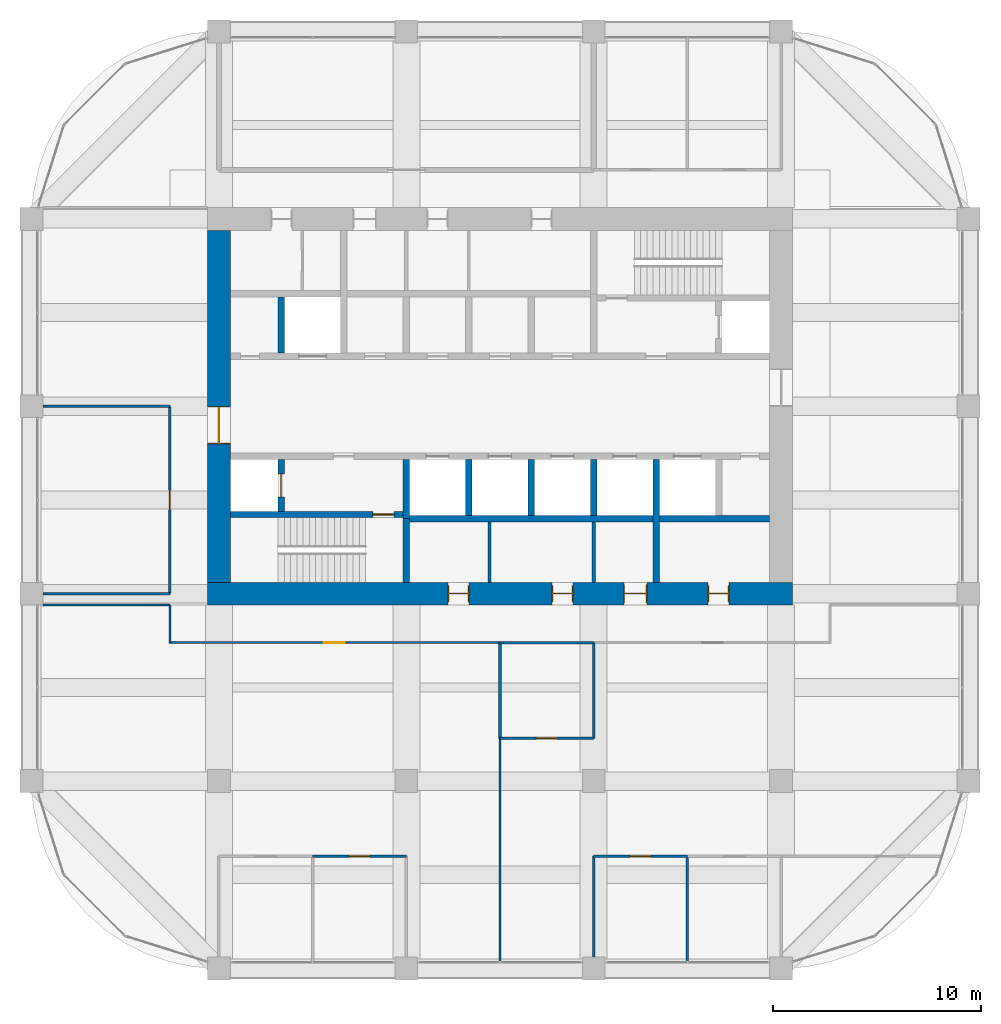
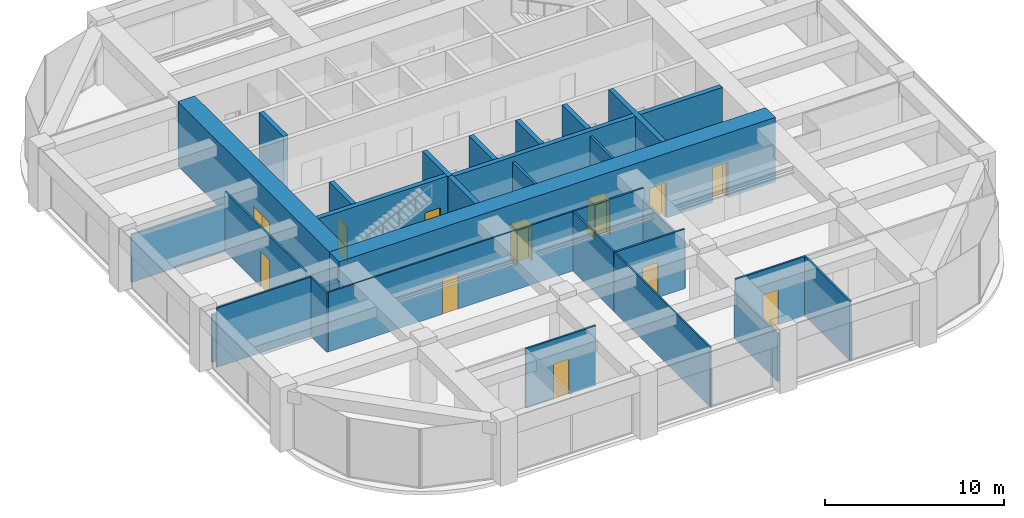
# One storey, part 41 of 44: 29 walls, 12 doors, 12 openings.
"""IFC4 building model written with IfcOpenShell, lengths in metres."""

import ifcopenshell
import ifcopenshell.guid

model = None  # the IFC model being written
_history = None  # IfcOwnerHistory: only IFC2X3 demands one
_inside = {}  # id of a spatial element -> (the spatial element, [elements in it])
_under = {}  # id of a project, library or spatial element -> (it, [spatial elements below it])
_declared = {}  # id of a project -> (the project, [libraries it declares])
_typed = {}  # id of a type object -> (the type object, [elements of that type])
_made_of = {}  # id of a material, layer set ... -> (it, [elements and type objects made of it])


def new_model(schema):
    """Start an empty IFC model of exactly this schema.

    Asked for "IFC4X3", IfcOpenShell would pick the latest addendum, in which some entities
    have other attributes; the version numbers below select the first issue.
    IFC2X3 requires an IfcOwnerHistory on every rooted entity: one is made here for all.
    """
    global model, _history
    if schema == "IFC4X3":
        model = ifcopenshell.file(schema_version=(4, 3, 0, 0))
    else:
        model = ifcopenshell.file(schema=schema)
    _inside.clear()
    _under.clear()
    _declared.clear()
    _typed.clear()
    _made_of.clear()
    _history = None
    if model.schema == "IFC2X3":
        org = make("IfcOrganization", Name="unknown")
        user = make(
            "IfcPersonAndOrganization",
            ThePerson=make("IfcPerson", FamilyName="unknown"),
            TheOrganization=org,
        )
        app = make(
            "IfcApplication",
            ApplicationDeveloper=org,
            Version="unknown",
            ApplicationFullName="unknown",
            ApplicationIdentifier="unknown",
        )
        _history = make(
            "IfcOwnerHistory",
            OwningUser=user,
            OwningApplication=app,
            ChangeAction="ADDED",
            CreationDate=0,
        )
    return model


def make(cls, **values):
    """One entity of the class cls with the attributes given. An attribute that is None is left unset."""
    return model.create_entity(
        cls, **{name: value for name, value in values.items() if value is not None}
    )


def rooted(cls, **values):
    """An entity with a GlobalId (a new one), such as an element, a storey or a relation."""
    return make(cls, GlobalId=ifcopenshell.guid.new(), OwnerHistory=_history, **values)


def si_unit(unit_type, name, prefix=None):
    """IfcSIUnit, for example si_unit("LENGTHUNIT", "METRE", prefix="MILLI")."""
    return make("IfcSIUnit", UnitType=unit_type, Prefix=prefix, Name=name)


def assignment(units):
    """IfcUnitAssignment: the units of a project."""
    return None if units is None else make("IfcUnitAssignment", Units=units)


def point(xyz):
    """IfcCartesianPoint."""
    return None if xyz is None else make("IfcCartesianPoint", Coordinates=xyz)


def direction(xyz):
    """IfcDirection."""
    return None if xyz is None else make("IfcDirection", DirectionRatios=xyz)


def frame(location, z_axis=None, x_axis=None):
    """IfcAxis2Placement3D, a coordinate frame: its origin and axes. An axis left out is left unset."""
    return make(
        "IfcAxis2Placement3D",
        Location=point(location),
        Axis=direction(z_axis),
        RefDirection=direction(x_axis),
    )


def frame_2d(location, x_axis=None):
    """IfcAxis2Placement2D, a coordinate frame in the plane: its origin and x axis."""
    return make(
        "IfcAxis2Placement2D", Location=point(location), RefDirection=direction(x_axis)
    )


def origin():
    """The frame at (0, 0, 0) with its axes left unset."""
    return frame((0.0, 0.0, 0.0))


def place(relative_to, where):
    """IfcLocalPlacement: puts the frame where relative to a parent placement (None: the world)."""
    return make(
        "IfcLocalPlacement", PlacementRelTo=relative_to, RelativePlacement=where
    )


def context(
    kind, dimensions, precision=None, world=None, true_north=None, identifier=None
):
    """IfcGeometricRepresentationContext, for example the 3D "Model" context."""
    return make(
        "IfcGeometricRepresentationContext",
        ContextIdentifier=identifier,
        ContextType=kind,
        CoordinateSpaceDimension=dimensions,
        Precision=precision,
        WorldCoordinateSystem=world,
        TrueNorth=true_north,
    )


def subcontext(parent, identifier, kind, view, scale=None):
    """IfcGeometricRepresentationSubContext, for example "Body" below "Model"."""
    return make(
        "IfcGeometricRepresentationSubContext",
        ContextIdentifier=identifier,
        ContextType=kind,
        ParentContext=parent,
        TargetScale=scale,
        TargetView=view,
    )


def project(units=None, contexts=None):
    """IfcProject with its units and contexts."""
    return rooted(
        "IfcProject",
        Name="project",
        RepresentationContexts=contexts,
        UnitsInContext=assignment(units),
    )


def spatial(cls, under=None, at=None, **own):
    """A site, building, storey or space (cls), placed at a placement, below another one or the project."""
    s = rooted(cls, ObjectPlacement=at, **own)
    if under is not None:
        _under.setdefault(under.id(), (under, []))[1].append(s)
    return s


def profile(cls, at=None, kind="AREA", **sizes):
    """A parametric profile (cls). Its sizes go by their IFC names, for example OverallWidth=200.0."""
    return make(cls, ProfileType=kind, Position=at, **sizes)


def rectangle(**sizes):
    """IfcRectangleProfileDef."""
    return profile("IfcRectangleProfileDef", **sizes)


def extrude(swept, where, along, depth):
    """IfcExtrudedAreaSolid: the profile swept, set in the frame where, extruded along a direction by depth."""
    return make(
        "IfcExtrudedAreaSolid",
        SweptArea=swept,
        Position=where,
        ExtrudedDirection=direction(along),
        Depth=depth,
    )


def shape(context_of_items, identifier, shape_type, items):
    """IfcShapeRepresentation: the items that make up one representation, for example the "Body"."""
    return make(
        "IfcShapeRepresentation",
        ContextOfItems=context_of_items,
        RepresentationIdentifier=identifier,
        RepresentationType=shape_type,
        Items=items,
    )


def material(Name=None, Category=None):
    """IfcMaterial."""
    return make("IfcMaterial", Name=Name, Category=Category)


def layer(
    of_material, thickness, ventilated=None, Name=None, Category=None, Priority=None
):
    """IfcMaterialLayer: one layer of a wall or slab, of a material (None: an air gap)."""
    return make(
        "IfcMaterialLayer",
        Material=of_material,
        LayerThickness=thickness,
        IsVentilated=ventilated,
        Name=Name,
        Category=Category,
        Priority=Priority,
    )


def layer_set(layers, Name=None):
    """IfcMaterialLayerSet."""
    return make("IfcMaterialLayerSet", MaterialLayers=layers, LayerSetName=Name)


def made_of(thing, what):
    """Note that an element or type object is made of a material, layer set ...; save() writes the relation."""
    if what is not None:
        _made_of.setdefault(what.id(), (what, []))[1].append(thing)
    return thing


def type_object(cls, material=None, **own):
    """A type object (cls), such as IfcWallType, which elements share."""
    return made_of(rooted(cls, **own), material)


def element(
    cls,
    number,
    at=None,
    inside=None,
    cuts=None,
    type_object=None,
    material=None,
    context=None,
    identifier="Body",
    shape_type=None,
    held_by="IfcProductDefinitionShape",
    body=None,
    shapes=None,
    **own,
):
    """One element of the class cls, such as IfcWall. Its Tag is "e" and its number.

    at: its placement. inside: the storey or other place that contains it. cuts: it is an
    opening in that element (IfcRelVoidsElement). A single representation is given by context,
    identifier, shape_type and body (its items); several are given by shapes. held_by: the class
    of the entity that holds the representations. save() writes the other relations.
    """
    e = rooted(cls, Tag="e%d" % number, ObjectPlacement=at, **own)
    if body is not None:
        shapes = [shape(context, identifier, shape_type, body)]
    if shapes is not None:
        e.Representation = make(held_by, Representations=shapes)
    if inside is not None:
        _inside.setdefault(inside.id(), (inside, []))[1].append(e)
    if cuts is not None:
        rooted(
            "IfcRelVoidsElement", RelatingBuildingElement=cuts, RelatedOpeningElement=e
        )
    if type_object is not None:
        _typed.setdefault(type_object.id(), (type_object, []))[1].append(e)
    return made_of(e, material)


def fill(opening, filler):
    """IfcRelFillsElement: the door or window that sits in an opening."""
    return rooted(
        "IfcRelFillsElement",
        RelatingOpeningElement=opening,
        RelatedBuildingElement=filler,
    )


def aggregate(whole, parts):
    """IfcRelAggregates: a whole, such as a stair, and the parts it consists of."""
    return rooted("IfcRelAggregates", RelatingObject=whole, RelatedObjects=parts)


def save(model, path):
    """Write the relations noted so far, then the file.

    IfcRelAggregates (storeys below a building ...), IfcRelContainedInSpatialStructure (elements
    in a storey), IfcRelDefinesByType, IfcRelAssociatesMaterial and IfcRelDeclares: one each for
    every whole, place, type object, material and project.
    """
    for whole, parts in _under.values():
        aggregate(whole, parts)
    for where, things in _inside.values():
        rooted(
            "IfcRelContainedInSpatialStructure",
            RelatedElements=things,
            RelatingStructure=where,
        )
    for kind, things in _typed.values():
        rooted("IfcRelDefinesByType", RelatedObjects=things, RelatingType=kind)
    for what, things in _made_of.values():
        rooted("IfcRelAssociatesMaterial", RelatedObjects=things, RelatingMaterial=what)
    for by, libraries in _declared.values():
        rooted("IfcRelDeclares", RelatingContext=by, RelatedDefinitions=libraries)
    model.write(path)


model = new_model("IFC4")

# Units and contexts
model_context = context("Model", 3, precision=1e-05, world=origin(), true_north=direction((0.0, 1.0)))
body_context = subcontext(model_context, "Body", "Model", "MODEL_VIEW")
ifc_project = project(units=[si_unit("LENGTHUNIT", "METRE"), si_unit("AREAUNIT", "SQUARE_METRE"), si_unit("VOLUMEUNIT", "CUBIC_METRE"), si_unit("PLANEANGLEUNIT", "RADIAN"), si_unit("MASSUNIT", "GRAM", prefix="KILO")], contexts=[model_context])

# Site, building, storey
site_placement = place(None, origin())
site = spatial("IfcSite", under=ifc_project, at=site_placement, CompositionType="ELEMENT")
building_placement = place(site_placement, origin())
building = spatial("IfcBuilding", under=site, at=building_placement, Name="Zorevar Civic Tower", CompositionType="ELEMENT")
storey_placement = place(building_placement, frame((0.0, 0.0, 307.39990234375)))
storey = spatial("IfcBuildingStorey", under=building, at=storey_placement, Name="L75", CompositionType="ELEMENT", Elevation=307.39990234375)

# Wall, openings, doors
ifc_material_1 = material(Name="Concrete C50/60", Category="concrete")
ifc_layer_1 = layer(ifc_material_1, 1.10009765625)
ifc_layer_set_1 = layer_set([ifc_layer_1], Name="Core wall 1100")
wall_type_1 = type_object("IfcWallType", Name="Core wall 1100", PredefinedType="SHEAR", material=ifc_layer_set_1)
wall_1_placement = place(storey_placement, frame((17.449951171875, 18.0, 0.0), z_axis=(0.0, 0.0, 1.0), x_axis=(1.0, 0.0, 0.0)))
wall_1 = element("IfcWall", 1, at=wall_1_placement, inside=storey, type_object=wall_type_1, Name="Core wall S L75", PredefinedType="SHEAR", context=body_context, shape_type="SweptSolid", body=[
    extrude(rectangle(XDim=28.10009765625, YDim=1.10009765625, at=frame_2d((14.050048828125, 0.0))), origin(), (0.0, 0.0, 1.0), 4.400146484375),
])
opening_1_placement = place(wall_1_placement, frame((11.550048828125, 0.0, 0.0)))
opening_1 = element("IfcOpeningElement", 2, at=opening_1_placement, cuts=wall_1, Name="Opening L75.03", PredefinedType="OPENING", context=body_context, shape_type="SweptSolid", body=[
    extrude(rectangle(XDim=1.0, YDim=2.39990234375, at=frame_2d((0.5, 1.199951171875))), frame((0.0, 0.56005859375, 0.0), z_axis=(0.0, -1.0, 0.0), x_axis=(1.0, 0.0, 0.0)), (0.0, 0.0, 1.0), 1.1201171875),
])
opening_2_placement = place(wall_1_placement, frame((16.550048828125, 0.0, 0.0)))
opening_2 = element("IfcOpeningElement", 3, at=opening_2_placement, cuts=wall_1, Name="Opening L75.04", PredefinedType="OPENING", context=body_context, shape_type="SweptSolid", body=[
    extrude(rectangle(XDim=1.0, YDim=2.39990234375, at=frame_2d((0.5, 1.199951171875))), frame((0.0, 0.56005859375, 0.0), z_axis=(0.0, -1.0, 0.0), x_axis=(1.0, 0.0, 0.0)), (0.0, 0.0, 1.0), 1.1201171875),
])
opening_3_placement = place(wall_1_placement, frame((20.0, 0.0, 0.0)))
opening_3 = element("IfcOpeningElement", 4, at=opening_3_placement, cuts=wall_1, Name="Opening L75.05", PredefinedType="OPENING", context=body_context, shape_type="SweptSolid", body=[
    extrude(rectangle(XDim=1.10009765625, YDim=2.39990234375, at=frame_2d((0.550048828125, 1.199951171875))), frame((0.0, 0.56005859375, 0.0), z_axis=(0.0, -1.0, 0.0), x_axis=(1.0, 0.0, 0.0)), (0.0, 0.0, 1.0), 1.1201171875),
])
opening_4_placement = place(wall_1_placement, frame((24.050048828125, 0.0, 0.0)))
opening_4 = element("IfcOpeningElement", 5, at=opening_4_placement, cuts=wall_1, Name="Opening L75.06", PredefinedType="OPENING", context=body_context, shape_type="SweptSolid", body=[
    extrude(rectangle(XDim=1.0, YDim=2.39990234375, at=frame_2d((0.5, 1.199951171875))), frame((0.0, 0.56005859375, 0.0), z_axis=(0.0, -1.0, 0.0), x_axis=(1.0, 0.0, 0.0)), (0.0, 0.0, 1.0), 1.1201171875),
])
ifc_material_2 = material(Name="Timber door set", Category="wood")
door_type_1 = type_object("IfcDoorType", Name="Door D1 1000x2400", OperationType="SINGLE_SWING_LEFT", PredefinedType="DOOR", material=ifc_material_2)
door_1_placement = place(opening_1_placement, origin())
door_1 = element("IfcDoor", 6, at=door_1_placement, inside=storey, type_object=door_type_1, Name="Door L75 02", OperationType="SINGLE_SWING_LEFT", OverallHeight=2.39990234375, OverallWidth=1.0, PredefinedType="DOOR", context=body_context, shape_type="SweptSolid", body=[
    extrude(rectangle(XDim=1.0, YDim=2.39990234375, at=frame_2d((0.5, 1.199951171875))), frame((0.0, 0.02490234375, 0.0), z_axis=(0.0, -1.0, 0.0), x_axis=(1.0, 0.0, 0.0)), (0.0, 0.0, 1.0), 0.050048828125),
    extrude(rectangle(XDim=0.04, YDim=2.39990234375, at=frame_2d((0.02001953125, 1.199951171875))), frame((0.0, 0.39990234375, 0.0), z_axis=(0.0, -1.0, 0.0), x_axis=(1.0, 0.0, 0.0)), (0.0, 0.0, 1.0), 0.800048828125),
    extrude(rectangle(XDim=0.04, YDim=2.39990234375, at=frame_2d((0.97998046875, 1.199951171875))), frame((0.0, 0.39990234375, 0.0), z_axis=(0.0, -1.0, 0.0), x_axis=(1.0, 0.0, 0.0)), (0.0, 0.0, 1.0), 0.800048828125),
    extrude(rectangle(XDim=1.0, YDim=0.04, at=frame_2d((0.5, 2.3798828125))), frame((0.0, 0.39990234375, 0.0), z_axis=(0.0, -1.0, 0.0), x_axis=(1.0, 0.0, 0.0)), (0.0, 0.0, 1.0), 0.800048828125),
])
fill(opening_1, door_1)
door_2_placement = place(opening_2_placement, origin())
door_2 = element("IfcDoor", 7, at=door_2_placement, inside=storey, type_object=door_type_1, Name="Door L75 03", OperationType="SINGLE_SWING_RIGHT", OverallHeight=2.39990234375, OverallWidth=1.0, PredefinedType="DOOR", context=body_context, shape_type="SweptSolid", body=[
    extrude(rectangle(XDim=1.0, YDim=2.39990234375, at=frame_2d((0.5, 1.199951171875))), frame((0.0, 0.02490234375, 0.0), z_axis=(0.0, -1.0, 0.0), x_axis=(1.0, 0.0, 0.0)), (0.0, 0.0, 1.0), 0.050048828125),
    extrude(rectangle(XDim=0.04, YDim=2.39990234375, at=frame_2d((0.02001953125, 1.199951171875))), frame((0.0, 0.39990234375, 0.0), z_axis=(0.0, -1.0, 0.0), x_axis=(1.0, 0.0, 0.0)), (0.0, 0.0, 1.0), 0.800048828125),
    extrude(rectangle(XDim=0.04, YDim=2.39990234375, at=frame_2d((0.97998046875, 1.199951171875))), frame((0.0, 0.39990234375, 0.0), z_axis=(0.0, -1.0, 0.0), x_axis=(1.0, 0.0, 0.0)), (0.0, 0.0, 1.0), 0.800048828125),
    extrude(rectangle(XDim=1.0, YDim=0.04, at=frame_2d((0.5, 2.3798828125))), frame((0.0, 0.39990234375, 0.0), z_axis=(0.0, -1.0, 0.0), x_axis=(1.0, 0.0, 0.0)), (0.0, 0.0, 1.0), 0.800048828125),
])
fill(opening_2, door_2)
door_3_placement = place(opening_4_placement, origin())
door_3 = element("IfcDoor", 8, at=door_3_placement, inside=storey, type_object=door_type_1, Name="Door L75 05", OperationType="SINGLE_SWING_RIGHT", OverallHeight=2.39990234375, OverallWidth=1.0, PredefinedType="DOOR", context=body_context, shape_type="SweptSolid", body=[
    extrude(rectangle(XDim=1.0, YDim=2.39990234375, at=frame_2d((0.5, 1.199951171875))), frame((0.0, 0.02490234375, 0.0), z_axis=(0.0, -1.0, 0.0), x_axis=(1.0, 0.0, 0.0)), (0.0, 0.0, 1.0), 0.050048828125),
    extrude(rectangle(XDim=0.04, YDim=2.39990234375, at=frame_2d((0.02001953125, 1.199951171875))), frame((0.0, 0.39990234375, 0.0), z_axis=(0.0, -1.0, 0.0), x_axis=(1.0, 0.0, 0.0)), (0.0, 0.0, 1.0), 0.800048828125),
    extrude(rectangle(XDim=0.04, YDim=2.39990234375, at=frame_2d((0.97998046875, 1.199951171875))), frame((0.0, 0.39990234375, 0.0), z_axis=(0.0, -1.0, 0.0), x_axis=(1.0, 0.0, 0.0)), (0.0, 0.0, 1.0), 0.800048828125),
    extrude(rectangle(XDim=1.0, YDim=0.04, at=frame_2d((0.5, 2.3798828125))), frame((0.0, 0.39990234375, 0.0), z_axis=(0.0, -1.0, 0.0), x_axis=(1.0, 0.0, 0.0)), (0.0, 0.0, 1.0), 0.800048828125),
])
fill(opening_4, door_3)
ifc_material_3 = material(Name="Timber door set", Category="wood")
door_type_2 = type_object("IfcDoorType", Name="Door D5 1100x2400", OperationType="SINGLE_SWING_LEFT", PredefinedType="DOOR", material=ifc_material_3)
door_4_placement = place(opening_3_placement, origin())
door_4 = element("IfcDoor", 9, at=door_4_placement, inside=storey, type_object=door_type_2, Name="Door L75 04", OperationType="SINGLE_SWING_RIGHT", OverallHeight=2.39990234375, OverallWidth=1.10009765625, PredefinedType="DOOR", context=body_context, shape_type="SweptSolid", body=[
    extrude(rectangle(XDim=1.10009765625, YDim=2.39990234375, at=frame_2d((0.550048828125, 1.199951171875))), frame((0.0, 0.02490234375, 0.0), z_axis=(0.0, -1.0, 0.0), x_axis=(1.0, 0.0, 0.0)), (0.0, 0.0, 1.0), 0.050048828125),
    extrude(rectangle(XDim=0.04, YDim=2.39990234375, at=frame_2d((0.02001953125, 1.199951171875))), frame((0.0, 0.43994140625, 0.0), z_axis=(0.0, -1.0, 0.0), x_axis=(1.0, 0.0, 0.0)), (0.0, 0.0, 1.0), 0.880126953125),
    extrude(rectangle(XDim=0.04, YDim=2.39990234375, at=frame_2d((1.080078125, 1.199951171875))), frame((0.0, 0.43994140625, 0.0), z_axis=(0.0, -1.0, 0.0), x_axis=(1.0, 0.0, 0.0)), (0.0, 0.0, 1.0), 0.880126953125),
    extrude(rectangle(XDim=1.10009765625, YDim=0.04, at=frame_2d((0.550048828125, 2.3798828125))), frame((0.0, 0.43994140625, 0.0), z_axis=(0.0, -1.0, 0.0), x_axis=(1.0, 0.0, 0.0)), (0.0, 0.0, 1.0), 0.880126953125),
])
fill(opening_3, door_4)

# Wall, opening, door
wall_2_placement = place(storey_placement, frame((18.0, 35.449951171875, 0.0), z_axis=(0.0, 0.0, 1.0), x_axis=(0.0, -1.0, 0.0)))
wall_2 = element("IfcWall", 10, at=wall_2_placement, inside=storey, type_object=wall_type_1, Name="Core wall W L75", PredefinedType="SHEAR", context=body_context, shape_type="SweptSolid", body=[
    extrude(rectangle(XDim=16.89990234375, YDim=1.10009765625, at=frame_2d((8.449951171875, 0.0))), origin(), (0.0, 0.0, 1.0), 4.400146484375),
])
opening_5_placement = place(wall_2_placement, frame((8.449951171875, 0.0, 0.0)))
opening_5 = element("IfcOpeningElement", 11, at=opening_5_placement, cuts=wall_2, Name="Opening L75.01", PredefinedType="OPENING", context=body_context, shape_type="SweptSolid", body=[
    extrude(rectangle(XDim=1.800048828125, YDim=2.39990234375, at=frame_2d((0.89990234375, 1.199951171875))), frame((0.0, 0.56005859375, 0.0), z_axis=(0.0, -1.0, 0.0), x_axis=(1.0, 0.0, 0.0)), (0.0, 0.0, 1.0), 1.1201171875),
])
ifc_material_4 = material(Name="Steel door set", Category="steel")
door_type_3 = type_object("IfcDoorType", Name="Fire door FD2 1800x2400", OperationType="DOUBLE_DOOR_DOUBLE_SWING", PredefinedType="DOOR", material=ifc_material_4)
door_5_placement = place(opening_5_placement, origin())
door_5 = element("IfcDoor", 12, at=door_5_placement, inside=storey, type_object=door_type_3, Name="Door L75 00", OperationType="DOUBLE_DOOR_DOUBLE_SWING", OverallHeight=2.39990234375, OverallWidth=1.800048828125, PredefinedType="DOOR", context=body_context, shape_type="SweptSolid", body=[
    extrude(rectangle(XDim=1.800048828125, YDim=2.39990234375, at=frame_2d((0.89990234375, 1.199951171875))), frame((0.0, 0.030029296875, 0.0), z_axis=(0.0, -1.0, 0.0), x_axis=(1.0, 0.0, 0.0)), (0.0, 0.0, 1.0), 0.06005859375),
    extrude(rectangle(XDim=0.04, YDim=2.39990234375, at=frame_2d((0.02001953125, 1.199951171875))), frame((0.0, 0.5498046875, 0.0), z_axis=(0.0, -1.0, 0.0), x_axis=(1.0, 0.0, 0.0)), (0.0, 0.0, 1.0), 1.099609375),
    extrude(rectangle(XDim=0.04, YDim=2.39990234375, at=frame_2d((1.780029296875, 1.199951171875))), frame((0.0, 0.5498046875, 0.0), z_axis=(0.0, -1.0, 0.0), x_axis=(1.0, 0.0, 0.0)), (0.0, 0.0, 1.0), 1.099609375),
    extrude(rectangle(XDim=1.800048828125, YDim=0.04, at=frame_2d((0.89990234375, 2.3798828125))), frame((0.0, 0.5498046875, 0.0), z_axis=(0.0, -1.0, 0.0), x_axis=(1.0, 0.0, 0.0)), (0.0, 0.0, 1.0), 1.099609375),
])
fill(opening_5, door_5)

ifc_material_5 = material(Name="Laminated glass in black aluminium frame", Category="aluminium")
ifc_layer_2 = layer(ifc_material_5, 0.10009765625)
ifc_layer_set_2 = layer_set([ifc_layer_2], Name="Glazed partition 100")
wall_type_2 = type_object("IfcWallType", Name="Glazed partition 100", PredefinedType="PARTITIONING", material=ifc_layer_set_2)
wall_3_placement = place(storey_placement, frame((15.60009765625, 15.64990234375, 0.0), z_axis=(0.0, 0.0, 1.0), x_axis=(1.0, 0.0, 0.0)))
wall_3 = element("IfcWall", 13, at=wall_3_placement, inside=storey, type_object=wall_type_2, Name="Glazed partition 100 L75", PredefinedType="PARTITIONING", context=body_context, shape_type="SweptSolid", body=[
    extrude(rectangle(XDim=15.889892578125, YDim=0.10009765625, at=frame_2d((7.94482421875, 0.0))), origin(), (0.0, 0.0, 1.0), 4.050048828125),
])
opening_6_placement = place(wall_3_placement, frame((7.445068359375, 0.0, 0.0)))
opening_6 = element("IfcOpeningElement", 14, at=opening_6_placement, cuts=wall_3, Name="Opening L75.23", PredefinedType="OPENING", context=body_context, shape_type="SweptSolid", body=[
    extrude(rectangle(XDim=1.0, YDim=2.39990234375, at=frame_2d((0.5, 1.199951171875))), frame((0.0, 0.06005859375, 0.0), z_axis=(0.0, -1.0, 0.0), x_axis=(1.0, 0.0, 0.0)), (0.0, 0.0, 1.0), 0.1201171875),
])
ifc_material_6 = material(Name="Timber door set", Category="wood")
door_type_4 = type_object("IfcDoorType", Name="Glazed door GD1 1000x2400", OperationType="SINGLE_SWING_LEFT", PredefinedType="DOOR", material=ifc_material_6)
door_6_placement = place(opening_6_placement, origin())
door_6 = element("IfcDoor", 15, at=door_6_placement, inside=storey, type_object=door_type_4, Name="Door L75 D1", OperationType="SINGLE_SWING_RIGHT", OverallHeight=2.39990234375, OverallWidth=1.0, PredefinedType="DOOR", context=body_context, shape_type="SweptSolid", body=[
    extrude(rectangle(XDim=1.0, YDim=2.39990234375, at=frame_2d((0.5, 1.199951171875))), frame((0.0, 0.02001953125, 0.0), z_axis=(0.0, -1.0, 0.0), x_axis=(1.0, 0.0, 0.0)), (0.0, 0.0, 1.0), 0.0400390625),
])
fill(opening_6, door_6)

# Walls
wall_4_placement = place(storey_placement, frame((9.550048828125, 17.449951171875, 0.0), z_axis=(0.0, 0.0, 1.0), x_axis=(1.0, 0.0, 0.0)))
element("IfcWall", 16, at=wall_4_placement, inside=storey, type_object=wall_type_2, Name="Glazed partition 100 L75", PredefinedType="PARTITIONING", context=body_context, shape_type="SweptSolid", body=[
    extrude(rectangle(XDim=6.099853515625, YDim=0.10009765625, at=frame_2d((3.0498046875, 0.0))), origin(), (0.0, 0.0, 1.0), 4.050048828125),
])
wall_5_placement = place(storey_placement, frame((15.64990234375, 15.60009765625, 0.0), z_axis=(0.0, 0.0, 1.0), x_axis=(0.0, 1.0, 0.0)))
element("IfcWall", 17, at=wall_5_placement, inside=storey, type_object=wall_type_2, Name="Glazed partition 100 L75", PredefinedType="PARTITIONING", context=body_context, shape_type="SweptSolid", body=[
    extrude(rectangle(XDim=1.849853515625, YDim=0.10009765625, at=frame_2d((0.9248046875, 0.0))), origin(), (0.0, 0.0, 1.0), 4.050048828125),
])
wall_6_placement = place(storey_placement, frame((31.5, 0.31005859375, 0.0), z_axis=(0.0, 0.0, 1.0), x_axis=(0.0, 1.0, 0.0)))
element("IfcWall", 18, at=wall_6_placement, inside=storey, type_object=wall_type_2, Name="Glazed partition 100 L75", PredefinedType="PARTITIONING", context=body_context, shape_type="SweptSolid", body=[
    extrude(rectangle(XDim=10.739990234375, YDim=0.10009765625, at=frame_2d((5.3701171875, 0.0))), origin(), (0.0, 0.0, 1.0), 4.050048828125),
])

# Wall, opening, door
ifc_material_7 = material(Name="Concrete C40/50", Category="concrete")
ifc_layer_3 = layer(ifc_material_7, 0.300048828125)
ifc_layer_set_3 = layer_set([ifc_layer_3], Name="Inner core wall 300")
wall_type_3 = type_object("IfcWallType", Name="Inner core wall 300", PredefinedType="SHEAR", material=ifc_layer_set_3)
wall_7_placement = place(storey_placement, frame((18.550048828125, 21.800048828125, 0.0), z_axis=(0.0, 0.0, 1.0), x_axis=(1.0, 0.0, 0.0)))
wall_7 = element("IfcWall", 19, at=wall_7_placement, inside=storey, type_object=wall_type_3, Name="Inner core wall S00 L75", PredefinedType="SHEAR", context=body_context, shape_type="SweptSolid", body=[
    extrude(rectangle(XDim=8.300048828125, YDim=0.300048828125, at=frame_2d((4.14990234375, 0.0))), origin(), (0.0, 0.0, 1.0), 4.400146484375),
])
opening_7_placement = place(wall_7_placement, frame((6.85009765625, 0.0, 0.0)))
opening_7 = element("IfcOpeningElement", 20, at=opening_7_placement, cuts=wall_7, Name="Opening L75.11", PredefinedType="OPENING", context=body_context, shape_type="SweptSolid", body=[
    extrude(rectangle(XDim=1.0, YDim=2.39990234375, at=frame_2d((0.5, 1.199951171875))), frame((0.0, 0.159912109375, 0.0), z_axis=(0.0, -1.0, 0.0), x_axis=(1.0, 0.0, 0.0)), (0.0, 0.0, 1.0), 0.320068359375),
])
ifc_material_8 = material(Name="Steel door set", Category="steel")
door_type_5 = type_object("IfcDoorType", Name="Fire door FD1 1000x2400", OperationType="SINGLE_SWING_LEFT", PredefinedType="DOOR", material=ifc_material_8)
door_7_placement = place(opening_7_placement, origin())
door_7 = element("IfcDoor", 21, at=door_7_placement, inside=storey, type_object=door_type_5, Name="Door L75 10", OperationType="SINGLE_SWING_RIGHT", OverallHeight=2.39990234375, OverallWidth=1.0, PredefinedType="DOOR", context=body_context, shape_type="SweptSolid", body=[
    extrude(rectangle(XDim=1.0, YDim=2.39990234375, at=frame_2d((0.5, 1.199951171875))), frame((0.0, 0.030029296875, 0.0), z_axis=(0.0, -1.0, 0.0), x_axis=(1.0, 0.0, 0.0)), (0.0, 0.0, 1.0), 0.06005859375),
])
fill(opening_7, door_7)

# Wall
wall_8_placement = place(storey_placement, frame((27.0, 18.550048828125, 0.0), z_axis=(0.0, 0.0, 1.0), x_axis=(0.0, 1.0, 0.0)))
element("IfcWall", 22, at=wall_8_placement, inside=storey, type_object=wall_type_3, Name="Inner core wall S01 L75", PredefinedType="SHEAR", context=body_context, shape_type="SweptSolid", body=[
    extrude(rectangle(XDim=3.050048828125, YDim=0.300048828125, at=frame_2d((1.52490234375, 0.0))), origin(), (0.0, 0.0, 1.0), 4.400146484375),
])

# Wall, opening, door
wall_9_placement = place(storey_placement, frame((21.0, 21.949951171875, 0.0), z_axis=(0.0, 0.0, 1.0), x_axis=(0.0, 1.0, 0.0)))
wall_9 = element("IfcWall", 23, at=wall_9_placement, inside=storey, type_object=wall_type_3, Name="Inner core wall S02 L75", PredefinedType="SHEAR", context=body_context, shape_type="SweptSolid", body=[
    extrude(rectangle(XDim=2.5, YDim=0.300048828125, at=frame_2d((1.25, 0.0))), origin(), (0.0, 0.0, 1.0), 4.400146484375),
])
opening_8_placement = place(wall_9_placement, frame((0.699951171875, 0.0, 0.0)))
opening_8 = element("IfcOpeningElement", 24, at=opening_8_placement, cuts=wall_9, Name="Opening L75.FL1", PredefinedType="OPENING", context=body_context, shape_type="SweptSolid", body=[
    extrude(rectangle(XDim=1.10009765625, YDim=2.39990234375, at=frame_2d((0.550048828125, 1.199951171875))), frame((0.0, 0.159912109375, 0.0), z_axis=(0.0, -1.0, 0.0), x_axis=(1.0, 0.0, 0.0)), (0.0, 0.0, 1.0), 0.320068359375),
])
ifc_material_9 = material(Name="Steel door set", Category="steel")
door_type_6 = type_object("IfcDoorType", Name="Firefighting lift landing door LD3 1100x2400", OperationType="DOUBLE_DOOR_SLIDING", PredefinedType="DOOR", material=ifc_material_9)
door_8_placement = place(opening_8_placement, origin())
door_8 = element("IfcDoor", 25, at=door_8_placement, inside=storey, type_object=door_type_6, Name="Landing door FL1 L75", OperationType="DOUBLE_DOOR_SLIDING", OverallHeight=2.39990234375, OverallWidth=1.10009765625, PredefinedType="DOOR", context=body_context, shape_type="SweptSolid", body=[
    extrude(rectangle(XDim=1.10009765625, YDim=2.39990234375, at=frame_2d((0.550048828125, 1.199951171875))), frame((0.0, 0.030029296875, 0.0), z_axis=(0.0, -1.0, 0.0), x_axis=(1.0, 0.0, 0.0)), (0.0, 0.0, 1.0), 0.06005859375),
])
fill(opening_8, door_8)

# Walls
wall_10_placement = place(storey_placement, frame((27.14990234375, 21.60009765625, 0.0), z_axis=(0.0, 0.0, 1.0), x_axis=(1.0, 0.0, 0.0)))
element("IfcWall", 26, at=wall_10_placement, inside=storey, type_object=wall_type_3, Name="Inner core wall S04 L75", PredefinedType="SHEAR", context=body_context, shape_type="SweptSolid", body=[
    extrude(rectangle(XDim=17.300048828125, YDim=0.300048828125, at=frame_2d((8.64990234375, 0.0))), origin(), (0.0, 0.0, 1.0), 4.400146484375),
])
for number, where, z_axis, x_axis, name in (
    (27, (30.0, 21.75, 0.0), (0.0, 0.0, 1.0), (0.0, 1.0, 0.0), "Inner core wall S05 L75"),
    (28, (33.0, 21.75, 0.0), (0.0, 0.0, 1.0), (0.0, 1.0, 0.0), "Inner core wall S06 L75"),
    (29, (36.0, 21.75, 0.0), (0.0, 0.0, 1.0), (0.0, 1.0, 0.0), "Inner core wall S07 L75"),
):
    element("IfcWall", number, at=place(storey_placement, frame(where, z_axis=z_axis, x_axis=x_axis)), inside=storey, type_object=wall_type_3, Name=name, PredefinedType="SHEAR", context=body_context, shape_type="SweptSolid", body=[
        extrude(rectangle(XDim=2.699951171875, YDim=0.300048828125, at=frame_2d((1.35009765625, 0.0))), origin(), (0.0, 0.0, 1.0), 4.400146484375),
    ])
wall_11_placement = place(storey_placement, frame((39.0, 18.550048828125, 0.0), z_axis=(0.0, 0.0, 1.0), x_axis=(0.0, 1.0, 0.0)))
element("IfcWall", 30, at=wall_11_placement, inside=storey, type_object=wall_type_3, Name="Inner core wall S08 L75", PredefinedType="SHEAR", context=body_context, shape_type="SweptSolid", body=[
    extrude(rectangle(XDim=5.89990234375, YDim=0.300048828125, at=frame_2d((2.949951171875, 0.0))), origin(), (0.0, 0.0, 1.0), 4.400146484375),
])
wall_12_placement = place(storey_placement, frame((21.0, 29.550048828125, 0.0), z_axis=(0.0, 0.0, 1.0), x_axis=(0.0, 1.0, 0.0)))
element("IfcWall", 31, at=wall_12_placement, inside=storey, type_object=wall_type_3, Name="Inner core wall N09 L75", PredefinedType="SHEAR", context=body_context, shape_type="SweptSolid", body=[
    extrude(rectangle(XDim=2.699951171875, YDim=0.300048828125, at=frame_2d((1.35009765625, 0.0))), origin(), (0.0, 0.0, 1.0), 4.400146484375),
])
wall_13_placement = place(storey_placement, frame((27.0, 21.60009765625, 0.0), z_axis=(0.0, 0.0, 1.0), x_axis=(0.0, 1.0, 0.0)))
element("IfcWall", 32, at=wall_13_placement, inside=storey, type_object=wall_type_3, Name="Inner core wall S10 L75", PredefinedType="SHEAR", context=body_context, shape_type="SweptSolid", body=[
    extrude(rectangle(XDim=2.849853515625, YDim=0.300048828125, at=frame_2d((1.4248046875, 0.0))), origin(), (0.0, 0.0, 1.0), 4.400146484375),
])

# Wall, opening, door
ifc_material_10 = material(Name="Gypsum board on steel studs", Category="steel")
ifc_layer_4 = layer(ifc_material_10, 0.1201171875)
ifc_layer_set_4 = layer_set([ifc_layer_4], Name="Partition 120")
wall_type_4 = type_object("IfcWallType", Name="Partition 120", PredefinedType="PARTITIONING", material=ifc_layer_set_4)
wall_14_placement = place(storey_placement, frame((22.5, 5.39990234375, 0.0), z_axis=(0.0, 0.0, 1.0), x_axis=(1.0, 0.0, 0.0)))
wall_14 = element("IfcWall", 33, at=wall_14_placement, inside=storey, type_object=wall_type_4, Name="Partition 120 L75", PredefinedType="PARTITIONING", context=body_context, shape_type="SweptSolid", body=[
    extrude(rectangle(XDim=4.5, YDim=0.1201171875, at=frame_2d((2.25, 0.0))), origin(), (0.0, 0.0, 1.0), 4.050048828125),
])
opening_9_placement = place(wall_14_placement, frame((1.75, 0.0, 0.0)))
opening_9 = element("IfcOpeningElement", 34, at=opening_9_placement, cuts=wall_14, Name="Opening L75.18", PredefinedType="OPENING", context=body_context, shape_type="SweptSolid", body=[
    extrude(rectangle(XDim=1.0, YDim=2.39990234375, at=frame_2d((0.5, 1.199951171875))), frame((0.0, 0.070068359375, 0.0), z_axis=(0.0, -1.0, 0.0), x_axis=(1.0, 0.0, 0.0)), (0.0, 0.0, 1.0), 0.14013671875),
])
door_9_placement = place(opening_9_placement, origin())
door_9 = element("IfcDoor", 35, at=door_9_placement, inside=storey, type_object=door_type_1, Name="Door L75 D1", OperationType="SINGLE_SWING_LEFT", OverallHeight=2.39990234375, OverallWidth=1.0, PredefinedType="DOOR", context=body_context, shape_type="SweptSolid", body=[
    extrude(rectangle(XDim=1.0, YDim=2.39990234375, at=frame_2d((0.5, 1.199951171875))), frame((0.0, 0.02490234375, 0.0), z_axis=(0.0, -1.0, 0.0), x_axis=(1.0, 0.0, 0.0)), (0.0, 0.0, 1.0), 0.050048828125),
])
fill(opening_9, door_9)

wall_15_placement = place(storey_placement, frame((36.0, 5.39990234375, 0.0), z_axis=(0.0, 0.0, 1.0), x_axis=(1.0, 0.0, 0.0)))
wall_15 = element("IfcWall", 36, at=wall_15_placement, inside=storey, type_object=wall_type_4, Name="Partition 120 L75", PredefinedType="PARTITIONING", context=body_context, shape_type="SweptSolid", body=[
    extrude(rectangle(XDim=4.5, YDim=0.1201171875, at=frame_2d((2.25, 0.0))), origin(), (0.0, 0.0, 1.0), 4.050048828125),
])
opening_10_placement = place(wall_15_placement, frame((1.75, 0.0, 0.0)))
opening_10 = element("IfcOpeningElement", 37, at=opening_10_placement, cuts=wall_15, Name="Opening L75.19", PredefinedType="OPENING", context=body_context, shape_type="SweptSolid", body=[
    extrude(rectangle(XDim=1.0, YDim=2.39990234375, at=frame_2d((0.5, 1.199951171875))), frame((0.0, 0.070068359375, 0.0), z_axis=(0.0, -1.0, 0.0), x_axis=(1.0, 0.0, 0.0)), (0.0, 0.0, 1.0), 0.14013671875),
])
door_10_placement = place(opening_10_placement, origin())
door_10 = element("IfcDoor", 38, at=door_10_placement, inside=storey, type_object=door_type_1, Name="Door L75 D1", OperationType="SINGLE_SWING_RIGHT", OverallHeight=2.39990234375, OverallWidth=1.0, PredefinedType="DOOR", context=body_context, shape_type="SweptSolid", body=[
    extrude(rectangle(XDim=1.0, YDim=2.39990234375, at=frame_2d((0.5, 1.199951171875))), frame((0.0, 0.02490234375, 0.0), z_axis=(0.0, -1.0, 0.0), x_axis=(1.0, 0.0, 0.0)), (0.0, 0.0, 1.0), 0.050048828125),
])
fill(opening_10, door_10)

wall_16_placement = place(storey_placement, frame((31.5, 11.050048828125, 0.0), z_axis=(0.0, 0.0, 1.0), x_axis=(1.0, 0.0, 0.0)))
wall_16 = element("IfcWall", 39, at=wall_16_placement, inside=storey, type_object=wall_type_4, Name="Partition 120 L75", PredefinedType="PARTITIONING", context=body_context, shape_type="SweptSolid", body=[
    extrude(rectangle(XDim=4.5, YDim=0.1201171875, at=frame_2d((2.25, 0.0))), origin(), (0.0, 0.0, 1.0), 4.050048828125),
])
opening_11_placement = place(wall_16_placement, frame((1.75, 0.0, 0.0)))
opening_11 = element("IfcOpeningElement", 40, at=opening_11_placement, cuts=wall_16, Name="Opening L75.22", PredefinedType="OPENING", context=body_context, shape_type="SweptSolid", body=[
    extrude(rectangle(XDim=1.0, YDim=2.39990234375, at=frame_2d((0.5, 1.199951171875))), frame((0.0, 0.070068359375, 0.0), z_axis=(0.0, -1.0, 0.0), x_axis=(1.0, 0.0, 0.0)), (0.0, 0.0, 1.0), 0.14013671875),
])
door_11_placement = place(opening_11_placement, origin())
door_11 = element("IfcDoor", 41, at=door_11_placement, inside=storey, type_object=door_type_1, Name="Door L75 D1", OperationType="SINGLE_SWING_LEFT", OverallHeight=2.39990234375, OverallWidth=1.0, PredefinedType="DOOR", context=body_context, shape_type="SweptSolid", body=[
    extrude(rectangle(XDim=1.0, YDim=2.39990234375, at=frame_2d((0.5, 1.199951171875))), frame((0.0, 0.02490234375, 0.0), z_axis=(0.0, -1.0, 0.0), x_axis=(1.0, 0.0, 0.0)), (0.0, 0.0, 1.0), 0.050048828125),
])
fill(opening_11, door_11)

# Walls
wall_17_placement = place(storey_placement, frame((31.5, 15.64990234375, 0.0), z_axis=(0.0, 0.0, 1.0), x_axis=(1.0, 0.0, 0.0)))
element("IfcWall", 42, at=wall_17_placement, inside=storey, type_object=wall_type_4, Name="Partition 120 L75", PredefinedType="PARTITIONING", context=body_context, shape_type="SweptSolid", body=[
    extrude(rectangle(XDim=4.5, YDim=0.1201171875, at=frame_2d((2.25, 0.0))), origin(), (0.0, 0.0, 1.0), 4.050048828125),
])
for number, where, z_axis, x_axis, name in (
    (43, (9.550048828125, 18.0, 0.0), (0.0, 0.0, 1.0), (1.0, 0.0, 0.0), "Partition 120 L75"),
    (44, (9.550048828125, 27.0, 0.0), (0.0, 0.0, 1.0), (1.0, 0.0, 0.0), "Partition 120 L75"),
):
    element("IfcWall", number, at=place(storey_placement, frame(where, z_axis=z_axis, x_axis=x_axis)), inside=storey, type_object=wall_type_4, Name=name, PredefinedType="PARTITIONING", context=body_context, shape_type="SweptSolid", body=[
        extrude(rectangle(XDim=6.099853515625, YDim=0.1201171875, at=frame_2d((3.0498046875, 0.0))), origin(), (0.0, 0.0, 1.0), 3.25),
    ])

# Wall, opening, door
wall_18_placement = place(storey_placement, frame((15.64990234375, 18.0, 0.0), z_axis=(0.0, 0.0, 1.0), x_axis=(0.0, 1.0, 0.0)))
wall_18 = element("IfcWall", 45, at=wall_18_placement, inside=storey, type_object=wall_type_4, Name="Partition 120 L75", PredefinedType="PARTITIONING", context=body_context, shape_type="SweptSolid", body=[
    extrude(rectangle(XDim=9.0, YDim=0.1201171875, at=frame_2d((4.5, 0.0))), origin(), (0.0, 0.0, 1.0), 4.050048828125),
])
opening_12_placement = place(wall_18_placement, frame((4.0, 0.0, 0.0)))
opening_12 = element("IfcOpeningElement", 46, at=opening_12_placement, cuts=wall_18, Name="Opening L75.28", PredefinedType="OPENING", context=body_context, shape_type="SweptSolid", body=[
    extrude(rectangle(XDim=1.0, YDim=2.39990234375, at=frame_2d((0.5, 1.199951171875))), frame((0.0, 0.070068359375, 0.0), z_axis=(0.0, -1.0, 0.0), x_axis=(1.0, 0.0, 0.0)), (0.0, 0.0, 1.0), 0.14013671875),
])
door_12_placement = place(opening_12_placement, origin())
door_12 = element("IfcDoor", 47, at=door_12_placement, inside=storey, type_object=door_type_1, Name="Door L75 D1", OperationType="SINGLE_SWING_LEFT", OverallHeight=2.39990234375, OverallWidth=1.0, PredefinedType="DOOR", context=body_context, shape_type="SweptSolid", body=[
    extrude(rectangle(XDim=1.0, YDim=2.39990234375, at=frame_2d((0.5, 1.199951171875))), frame((0.0, 0.02490234375, 0.0), z_axis=(0.0, -1.0, 0.0), x_axis=(1.0, 0.0, 0.0)), (0.0, 0.0, 1.0), 0.050048828125),
])
fill(opening_12, door_12)

# Walls
wall_19_placement = place(storey_placement, frame((31.5, 11.050048828125, 0.0), z_axis=(0.0, 0.0, 1.0), x_axis=(0.0, 1.0, 0.0)))
element("IfcWall", 48, at=wall_19_placement, inside=storey, type_object=wall_type_4, Name="Partition 120 L75", PredefinedType="PARTITIONING", context=body_context, shape_type="SweptSolid", body=[
    extrude(rectangle(XDim=4.599853515625, YDim=0.1201171875, at=frame_2d((2.2998046875, 0.0))), origin(), (0.0, 0.0, 1.0), 4.050048828125),
])
wall_20_placement = place(storey_placement, frame((36.0, 0.550048828125, 0.0), z_axis=(0.0, 0.0, 1.0), x_axis=(0.0, 1.0, 0.0)))
element("IfcWall", 49, at=wall_20_placement, inside=storey, type_object=wall_type_4, Name="Partition 120 L75", PredefinedType="PARTITIONING", context=body_context, shape_type="SweptSolid", body=[
    extrude(rectangle(XDim=4.849853515625, YDim=0.1201171875, at=frame_2d((2.4248046875, 0.0))), origin(), (0.0, 0.0, 1.0), 3.25),
])
wall_21_placement = place(storey_placement, frame((36.0, 11.050048828125, 0.0), z_axis=(0.0, 0.0, 1.0), x_axis=(0.0, 1.0, 0.0)))
element("IfcWall", 50, at=wall_21_placement, inside=storey, type_object=wall_type_4, Name="Partition 120 L75", PredefinedType="PARTITIONING", context=body_context, shape_type="SweptSolid", body=[
    extrude(rectangle(XDim=4.599853515625, YDim=0.1201171875, at=frame_2d((2.2998046875, 0.0))), origin(), (0.0, 0.0, 1.0), 3.25),
])
wall_22_placement = place(storey_placement, frame((40.5, 0.31005859375, 0.0), z_axis=(0.0, 0.0, 1.0), x_axis=(0.0, 1.0, 0.0)))
element("IfcWall", 51, at=wall_22_placement, inside=storey, type_object=wall_type_4, Name="Partition 120 L75", PredefinedType="PARTITIONING", context=body_context, shape_type="SweptSolid", body=[
    extrude(rectangle(XDim=5.08984375, YDim=0.1201171875, at=frame_2d((2.544921875, 0.0))), origin(), (0.0, 0.0, 1.0), 4.050048828125),
])
ifc_material_11 = material(Name="Gypsum board on steel studs, moisture resistant", Category="steel")
ifc_layer_5 = layer(ifc_material_11, 0.14990234375)
ifc_layer_set_5 = layer_set([ifc_layer_5], Name="WC partition 150")
wall_type_5 = type_object("IfcWallType", Name="WC partition 150", PredefinedType="PARTITIONING", material=ifc_layer_set_5)
for number, where, z_axis, x_axis, name in (
    (52, (31.0, 18.550048828125, 0.0), (0.0, 0.0, 1.0), (0.0, 1.0, 0.0), "WC partition L75"),
    (53, (36.0, 18.550048828125, 0.0), (0.0, 0.0, 1.0), (0.0, 1.0, 0.0), "WC partition L75"),
):
    element("IfcWall", number, at=place(storey_placement, frame(where, z_axis=z_axis, x_axis=x_axis)), inside=storey, type_object=wall_type_5, Name=name, PredefinedType="PARTITIONING", context=body_context, shape_type="SweptSolid", body=[
        extrude(rectangle(XDim=2.89990234375, YDim=0.14990234375, at=frame_2d((1.449951171875, 0.0))), origin(), (0.0, 0.0, 1.0), 4.050048828125),
    ])

save(model, "model.ifc")
